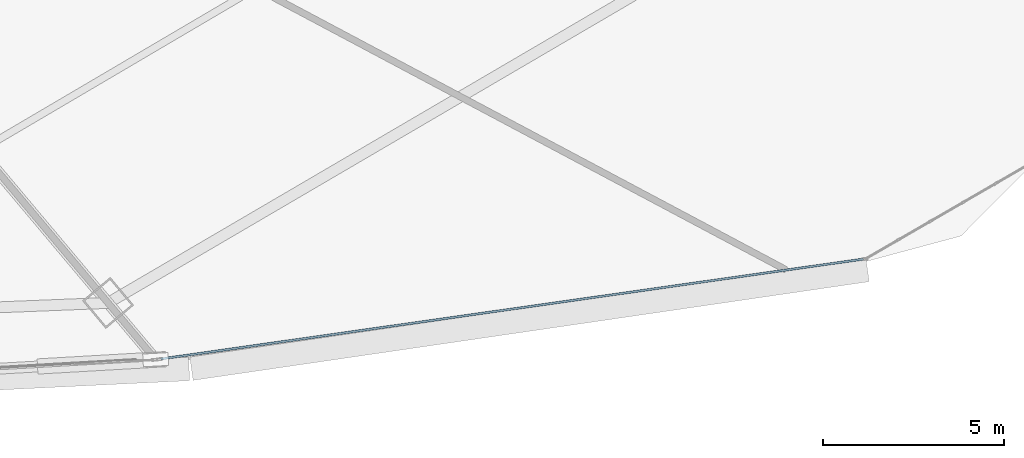
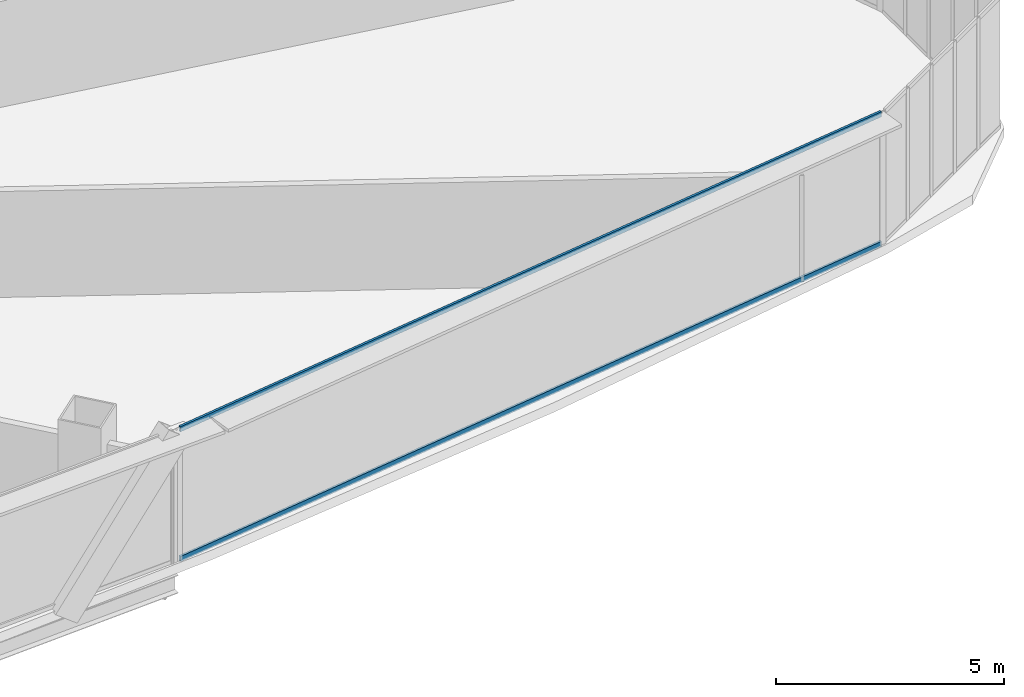
# One storey, part 19 of 39: 2 members, 1 element without a shape of its own.
"""IFC4 building model written with IfcOpenShell, lengths in metres."""

import ifcopenshell
import ifcopenshell.guid

model = None  # the IFC model being written
_history = None  # IfcOwnerHistory: only IFC2X3 demands one
_inside = {}  # id of a spatial element -> (the spatial element, [elements in it])
_under = {}  # id of a project, library or spatial element -> (it, [spatial elements below it])
_declared = {}  # id of a project -> (the project, [libraries it declares])
_typed = {}  # id of a type object -> (the type object, [elements of that type])
_made_of = {}  # id of a material, layer set ... -> (it, [elements and type objects made of it])


def new_model(schema):
    """Start an empty IFC model of exactly this schema.

    Asked for "IFC4X3", IfcOpenShell would pick the latest addendum, in which some entities
    have other attributes; the version numbers below select the first issue.
    IFC2X3 requires an IfcOwnerHistory on every rooted entity: one is made here for all.
    """
    global model, _history
    if schema == "IFC4X3":
        model = ifcopenshell.file(schema_version=(4, 3, 0, 0))
    else:
        model = ifcopenshell.file(schema=schema)
    _inside.clear()
    _under.clear()
    _declared.clear()
    _typed.clear()
    _made_of.clear()
    _history = None
    if model.schema == "IFC2X3":
        org = make("IfcOrganization", Name="unknown")
        user = make(
            "IfcPersonAndOrganization",
            ThePerson=make("IfcPerson", FamilyName="unknown"),
            TheOrganization=org,
        )
        app = make(
            "IfcApplication",
            ApplicationDeveloper=org,
            Version="unknown",
            ApplicationFullName="unknown",
            ApplicationIdentifier="unknown",
        )
        _history = make(
            "IfcOwnerHistory",
            OwningUser=user,
            OwningApplication=app,
            ChangeAction="ADDED",
            CreationDate=0,
        )
    return model


def make(cls, **values):
    """One entity of the class cls with the attributes given. An attribute that is None is left unset."""
    return model.create_entity(
        cls, **{name: value for name, value in values.items() if value is not None}
    )


def rooted(cls, **values):
    """An entity with a GlobalId (a new one), such as an element, a storey or a relation."""
    return make(cls, GlobalId=ifcopenshell.guid.new(), OwnerHistory=_history, **values)


def si_unit(unit_type, name, prefix=None):
    """IfcSIUnit, for example si_unit("LENGTHUNIT", "METRE", prefix="MILLI")."""
    return make("IfcSIUnit", UnitType=unit_type, Prefix=prefix, Name=name)


def assignment(units):
    """IfcUnitAssignment: the units of a project."""
    return None if units is None else make("IfcUnitAssignment", Units=units)


def point(xyz):
    """IfcCartesianPoint."""
    return None if xyz is None else make("IfcCartesianPoint", Coordinates=xyz)


def direction(xyz):
    """IfcDirection."""
    return None if xyz is None else make("IfcDirection", DirectionRatios=xyz)


def frame(location, z_axis=None, x_axis=None):
    """IfcAxis2Placement3D, a coordinate frame: its origin and axes. An axis left out is left unset."""
    return make(
        "IfcAxis2Placement3D",
        Location=point(location),
        Axis=direction(z_axis),
        RefDirection=direction(x_axis),
    )


def frame_2d(location, x_axis=None):
    """IfcAxis2Placement2D, a coordinate frame in the plane: its origin and x axis."""
    return make(
        "IfcAxis2Placement2D", Location=point(location), RefDirection=direction(x_axis)
    )


def origin():
    """The frame at (0, 0, 0) with its axes left unset."""
    return frame((0.0, 0.0, 0.0))


def origin_2d():
    """The frame at (0, 0) in the plane with its x axis left unset."""
    return frame_2d((0.0, 0.0))


def place(relative_to, where):
    """IfcLocalPlacement: puts the frame where relative to a parent placement (None: the world)."""
    return make(
        "IfcLocalPlacement", PlacementRelTo=relative_to, RelativePlacement=where
    )


def context(
    kind, dimensions, precision=None, world=None, true_north=None, identifier=None
):
    """IfcGeometricRepresentationContext, for example the 3D "Model" context."""
    return make(
        "IfcGeometricRepresentationContext",
        ContextIdentifier=identifier,
        ContextType=kind,
        CoordinateSpaceDimension=dimensions,
        Precision=precision,
        WorldCoordinateSystem=world,
        TrueNorth=true_north,
    )


def subcontext(parent, identifier, kind, view, scale=None):
    """IfcGeometricRepresentationSubContext, for example "Body" below "Model"."""
    return make(
        "IfcGeometricRepresentationSubContext",
        ContextIdentifier=identifier,
        ContextType=kind,
        ParentContext=parent,
        TargetScale=scale,
        TargetView=view,
    )


def project(units=None, contexts=None):
    """IfcProject with its units and contexts."""
    return rooted(
        "IfcProject",
        Name="project",
        RepresentationContexts=contexts,
        UnitsInContext=assignment(units),
    )


def spatial(cls, under=None, at=None, **own):
    """A site, building, storey or space (cls), placed at a placement, below another one or the project."""
    s = rooted(cls, ObjectPlacement=at, **own)
    if under is not None:
        _under.setdefault(under.id(), (under, []))[1].append(s)
    return s


def profile(cls, at=None, kind="AREA", **sizes):
    """A parametric profile (cls). Its sizes go by their IFC names, for example OverallWidth=200.0."""
    return make(cls, ProfileType=kind, Position=at, **sizes)


def hollow_rectangle(**sizes):
    """IfcRectangleHollowProfileDef."""
    return profile("IfcRectangleHollowProfileDef", **sizes)


def extrude(swept, where, along, depth):
    """IfcExtrudedAreaSolid: the profile swept, set in the frame where, extruded along a direction by depth."""
    return make(
        "IfcExtrudedAreaSolid",
        SweptArea=swept,
        Position=where,
        ExtrudedDirection=direction(along),
        Depth=depth,
    )


def shape(context_of_items, identifier, shape_type, items):
    """IfcShapeRepresentation: the items that make up one representation, for example the "Body"."""
    return make(
        "IfcShapeRepresentation",
        ContextOfItems=context_of_items,
        RepresentationIdentifier=identifier,
        RepresentationType=shape_type,
        Items=items,
    )


def source(mapping_origin, context_of_items, identifier, shape_type, items):
    """IfcRepresentationMap: a shape defined once, which mapped items show again and again."""
    return make(
        "IfcRepresentationMap",
        MappingOrigin=mapping_origin,
        MappedRepresentation=shape(context_of_items, identifier, shape_type, items),
    )


def transform(
    local_origin,
    x_axis=None,
    y_axis=None,
    z_axis=None,
    scale=None,
    scale2=None,
    scale3=None,
    uniform=True,
):
    """IfcCartesianTransformationOperator3D, or its non-uniform kind. x_axis, y_axis, z_axis: its Axis1, 2, 3."""
    if uniform:
        return make(
            "IfcCartesianTransformationOperator3D",
            Axis1=direction(x_axis),
            Axis2=direction(y_axis),
            LocalOrigin=point(local_origin),
            Scale=scale,
            Axis3=direction(z_axis),
        )
    return make(
        "IfcCartesianTransformationOperator3DnonUniform",
        Axis1=direction(x_axis),
        Axis2=direction(y_axis),
        LocalOrigin=point(local_origin),
        Scale=scale,
        Axis3=direction(z_axis),
        Scale2=scale2,
        Scale3=scale3,
    )


def mapped(mapping_source, mapping_target):
    """IfcMappedItem: shows the shape of a source again, moved by a transform."""
    return make(
        "IfcMappedItem", MappingSource=mapping_source, MappingTarget=mapping_target
    )


def material(Name=None, Category=None):
    """IfcMaterial."""
    return make("IfcMaterial", Name=Name, Category=Category)


def layer(
    of_material, thickness, ventilated=None, Name=None, Category=None, Priority=None
):
    """IfcMaterialLayer: one layer of a wall or slab, of a material (None: an air gap)."""
    return make(
        "IfcMaterialLayer",
        Material=of_material,
        LayerThickness=thickness,
        IsVentilated=ventilated,
        Name=Name,
        Category=Category,
        Priority=Priority,
    )


def layer_set(layers, Name=None):
    """IfcMaterialLayerSet."""
    return make("IfcMaterialLayerSet", MaterialLayers=layers, LayerSetName=Name)


def material_profile(
    of_material, cross_section, Name=None, Category=None, Priority=None
):
    """IfcMaterialProfile: a cross section and its material."""
    return make(
        "IfcMaterialProfile",
        Name=Name,
        Material=of_material,
        Profile=cross_section,
        Priority=Priority,
        Category=Category,
    )


def profile_set(profiles, Name=None, composite=None):
    """IfcMaterialProfileSet."""
    return make(
        "IfcMaterialProfileSet",
        Name=Name,
        MaterialProfiles=profiles,
        CompositeProfile=composite,
    )


def made_of(thing, what):
    """Note that an element or type object is made of a material, layer set ...; save() writes the relation."""
    if what is not None:
        _made_of.setdefault(what.id(), (what, []))[1].append(thing)
    return thing


def type_object(cls, material=None, **own):
    """A type object (cls), such as IfcWallType, which elements share."""
    return made_of(rooted(cls, **own), material)


def element(
    cls,
    number,
    at=None,
    inside=None,
    cuts=None,
    type_object=None,
    material=None,
    context=None,
    identifier="Body",
    shape_type=None,
    held_by="IfcProductDefinitionShape",
    body=None,
    shapes=None,
    **own,
):
    """One element of the class cls, such as IfcWall. Its Tag is "e" and its number.

    at: its placement. inside: the storey or other place that contains it. cuts: it is an
    opening in that element (IfcRelVoidsElement). A single representation is given by context,
    identifier, shape_type and body (its items); several are given by shapes. held_by: the class
    of the entity that holds the representations. save() writes the other relations.
    """
    e = rooted(cls, Tag="e%d" % number, ObjectPlacement=at, **own)
    if body is not None:
        shapes = [shape(context, identifier, shape_type, body)]
    if shapes is not None:
        e.Representation = make(held_by, Representations=shapes)
    if inside is not None:
        _inside.setdefault(inside.id(), (inside, []))[1].append(e)
    if cuts is not None:
        rooted(
            "IfcRelVoidsElement", RelatingBuildingElement=cuts, RelatedOpeningElement=e
        )
    if type_object is not None:
        _typed.setdefault(type_object.id(), (type_object, []))[1].append(e)
    return made_of(e, material)


def aggregate(whole, parts):
    """IfcRelAggregates: a whole, such as a stair, and the parts it consists of."""
    return rooted("IfcRelAggregates", RelatingObject=whole, RelatedObjects=parts)


def save(model, path):
    """Write the relations noted so far, then the file.

    IfcRelAggregates (storeys below a building ...), IfcRelContainedInSpatialStructure (elements
    in a storey), IfcRelDefinesByType, IfcRelAssociatesMaterial and IfcRelDeclares: one each for
    every whole, place, type object, material and project.
    """
    for whole, parts in _under.values():
        aggregate(whole, parts)
    for where, things in _inside.values():
        rooted(
            "IfcRelContainedInSpatialStructure",
            RelatedElements=things,
            RelatingStructure=where,
        )
    for kind, things in _typed.values():
        rooted("IfcRelDefinesByType", RelatedObjects=things, RelatingType=kind)
    for what, things in _made_of.values():
        rooted("IfcRelAssociatesMaterial", RelatedObjects=things, RelatingMaterial=what)
    for by, libraries in _declared.values():
        rooted("IfcRelDeclares", RelatingContext=by, RelatedDefinitions=libraries)
    model.write(path)


model = new_model("IFC4")

# Units and contexts
model_context = context("Model", 3, precision=1e-05, world=origin(), true_north=direction((0.0, 1.0)))
body_context = subcontext(model_context, "Body", "Model", "MODEL_VIEW")
ifc_project = project(units=[si_unit("LENGTHUNIT", "METRE"), si_unit("AREAUNIT", "SQUARE_METRE"), si_unit("VOLUMEUNIT", "CUBIC_METRE"), si_unit("PLANEANGLEUNIT", "RADIAN"), si_unit("MASSUNIT", "GRAM", prefix="KILO"), si_unit("THERMODYNAMICTEMPERATUREUNIT", "KELVIN"), si_unit("POWERUNIT", "WATT")], contexts=[model_context])

# Site, building, storey
site_placement = place(None, origin())
site = spatial("IfcSite", under=ifc_project, at=site_placement, CompositionType="ELEMENT")
building_placement = place(site_placement, origin())
building = spatial("IfcBuilding", under=site, at=building_placement, Name="Yunzhuo Pagoda Commons", CompositionType="ELEMENT")
storey_placement = place(building_placement, frame((0.0, 0.0, 92.580078125)))
storey = spatial("IfcBuildingStorey", under=building, at=storey_placement, Name="L23", CompositionType="ELEMENT", Elevation=92.580078125)

# Curtain wall, members
ifc_material = material(Name="Anodized aluminium 6063-T6", Category="aluminium")
ifc_layer = layer(ifc_material, 0.1650390625)
ifc_layer_set = layer_set([ifc_layer], Name="Anodized aluminium 6063-T6")
curtain_wall_type = type_object("IfcCurtainWallType", Name="CW-LOW Low-Zone Ribbon Curtain Wall", PredefinedType="NOTDEFINED", material=ifc_layer_set)
curtain_wall_placement = place(storey_placement, origin())
curtain_wall = element("IfcCurtainWall", 1, at=curtain_wall_placement, inside=storey, type_object=curtain_wall_type, Name="L23 curtain wall CW-L23-F1B5", PredefinedType="NOTDEFINED")
ifc_material_profile = material_profile(ifc_material, hollow_rectangle(XDim=0.06005859375, YDim=0.139892578125, WallThickness=0.00341796875, at=origin_2d()), Name="Anodized aluminium 6063-T6")
ifc_profile_set = profile_set([ifc_material_profile], Name="Anodized aluminium 6063-T6")
member_type = type_object("IfcMemberType", Name="CW-LOW-T Transom RHS 140x60x3.5", PredefinedType="USERDEFINED", material=ifc_profile_set)
shared_shape = source(origin(), body_context, "Body", "SweptSolid", [
    extrude(hollow_rectangle(XDim=0.06005859375, YDim=0.139892578125, WallThickness=0.00341796875, at=origin_2d()), origin(), (0.0, 0.0, 1.0), 19.5625),
])
member_1_placement = place(storey_placement, frame((65.88818359375, 12.567138671875, 0.030029296875), z_axis=(0.99004337419, 0.140762627222, 0.0), x_axis=(-0.140762627222, 0.99004337419, 0.0)))
member_1 = element("IfcMember", 2, at=member_1_placement, type_object=member_type, Name="CW transom 1.1", ObjectType="TRANSOM", PredefinedType="USERDEFINED", context=body_context, shape_type="MappedRepresentation", body=[
    mapped(shared_shape, transform((0.0, 0.0, 0.0), scale=1.0)),
])
member_2_placement = place(storey_placement, frame((65.88818359375, 12.567138671875, 3.510009765625), z_axis=(0.99004337419, 0.140762627222, 0.0), x_axis=(-0.140762627222, 0.99004337419, 0.0)))
member_2 = element("IfcMember", 3, at=member_2_placement, type_object=member_type, Name="CW transom 1.2", ObjectType="TRANSOM", PredefinedType="USERDEFINED", context=body_context, shape_type="MappedRepresentation", body=[
    mapped(shared_shape, transform((0.0, 0.0, 0.0), scale=1.0)),
])
aggregate(curtain_wall, [member_1, member_2])

save(model, "model.ifc")
